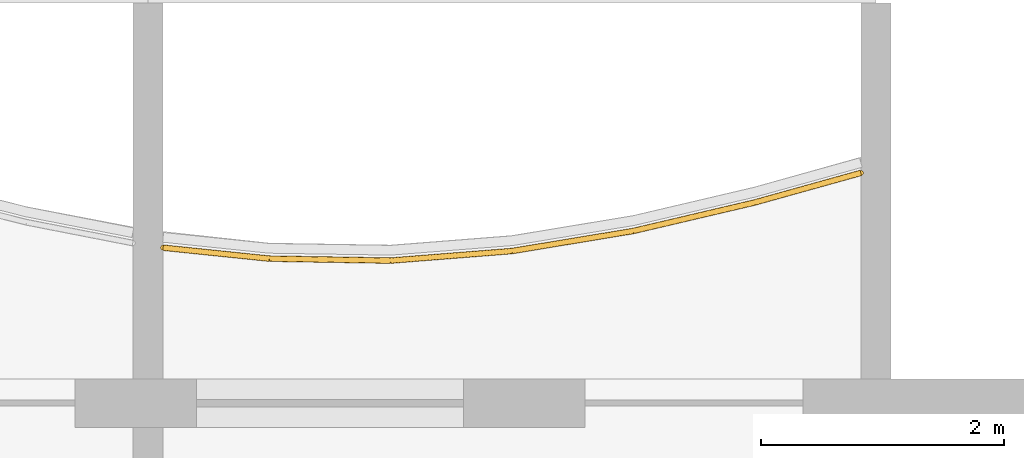
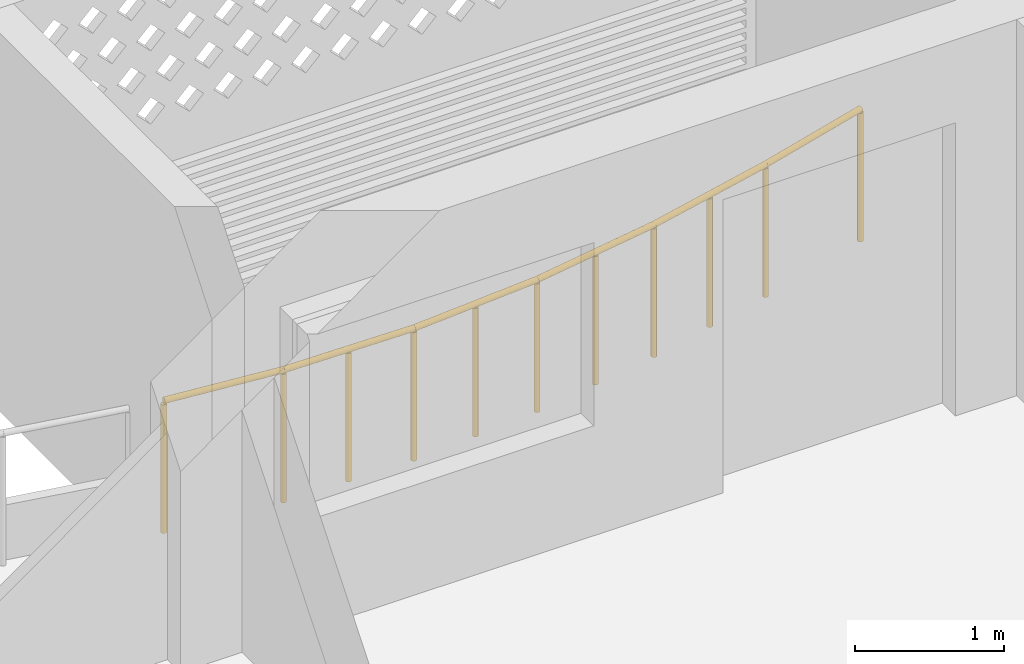
# One storey, part 26 of 27: 1 railing.
"""IFC4 building model written with IfcOpenShell, lengths in metres."""

from ifc_helpers import new_model, si_unit, direction, frame, origin, origin_2d, place, context, subcontext, project, spatial, circle, extrude, material, type_object, element, save


model = new_model("IFC4")

# Units and contexts
model_context = context("Model", 3, precision=1e-05, world=origin(), true_north=direction((0.0, 1.0)))
body_context = subcontext(model_context, "Body", "Model", "MODEL_VIEW")
ifc_project = project(units=[si_unit("LENGTHUNIT", "METRE"), si_unit("AREAUNIT", "SQUARE_METRE"), si_unit("VOLUMEUNIT", "CUBIC_METRE"), si_unit("PLANEANGLEUNIT", "RADIAN"), si_unit("MASSUNIT", "GRAM", prefix="KILO")], contexts=[model_context])

# Site, building, storey
site_placement = place(None, origin())
site = spatial("IfcSite", under=ifc_project, at=site_placement, CompositionType="ELEMENT")
building_placement = place(site_placement, origin())
building = spatial("IfcBuilding", under=site, at=building_placement, Name="Poui Terraces", CompositionType="ELEMENT")
storey_placement = place(building_placement, frame((0.0, 0.0, 195.0)))
storey = spatial("IfcBuildingStorey", under=building, at=storey_placement, Name="L54", CompositionType="ELEMENT", Elevation=195.0)

# Railing
ifc_material = material(Name="Painted steel fretwork", Category="steel")
railing_type = type_object("IfcRailingType", Name="BALCONY GUARD 1100", PredefinedType="GUARDRAIL", material=ifc_material)
railing_placement = place(storey_placement, frame((72.125, 42.481689453125, 0.0)))
element("IfcRailing", 1, at=railing_placement, inside=storey, type_object=railing_type, Name="BALCONY GUARD", PredefinedType="GUARDRAIL", context=body_context, shape_type="SweptSolid", body=[
    extrude(circle(Radius=0.02392578125, at=origin_2d()), frame((0.0, 0.0, 1.076171875), z_axis=(0.994713322393, -0.102690828484, 0.0), x_axis=(0.102690828484, 0.994713322393, 0.0)), (0.0, 0.0, 1.0), 0.879638671875),
    extrude(circle(Radius=0.02392578125, at=origin_2d()), frame((0.875, -0.09033203125, 1.076171875), z_axis=(0.999870206358, -0.016111189849, 0.0), x_axis=(0.016111189849, 0.999870206358, 0.0)), (0.0, 0.0, 1.0), 1.000244140625),
    extrude(circle(Radius=0.02392578125, at=origin_2d()), frame((1.875, -0.1064453125, 1.076171875), z_axis=(0.996905179889, 0.07861337234, 0.0), x_axis=(-0.07861337234, 0.996905179889, 0.0)), (0.0, 0.0, 1.0), 1.003173828125),
    extrude(circle(Radius=0.02392578125, at=origin_2d()), frame((2.875, -0.027587890625, 1.076171875), z_axis=(0.986614372238, 0.163070783693, 0.0), x_axis=(-0.163070783693, 0.986614372238, 0.0)), (0.0, 0.0, 1.0), 1.013671875),
    extrude(circle(Radius=0.02392578125, at=origin_2d()), frame((3.875, 0.1376953125, 1.076171875), z_axis=(0.973510598085, 0.228641893398, 0.0), x_axis=(-0.228641893398, 0.973510598085, 0.0)), (0.0, 0.0, 1.0), 1.027099609375),
    extrude(circle(Radius=0.02392578125, at=origin_2d()), frame((4.875, 0.37255859375, 1.076171875), z_axis=(0.963348277861, 0.268253789427, 0.0), x_axis=(-0.268253789427, 0.963348277861, 0.0)), (0.0, 0.0, 1.0), 0.908203125),
    extrude(circle(Radius=0.02099609375, at=origin_2d()), origin(), (0.0, 0.0, 1.0), 1.052001953125),
    extrude(circle(Radius=0.02099609375, at=origin_2d()), frame((0.875, -0.09033203125, 0.0)), (0.0, 0.0, 1.0), 1.052001953125),
    extrude(circle(Radius=0.02099609375, at=origin_2d()), frame((1.375, -0.098388671875, 0.0)), (0.0, 0.0, 1.0), 1.052001953125),
    extrude(circle(Radius=0.02099609375, at=origin_2d()), frame((1.875, -0.1064453125, 0.0)), (0.0, 0.0, 1.0), 1.052001953125),
    extrude(circle(Radius=0.02099609375, at=origin_2d()), frame((2.375, -0.06689453125, 0.0)), (0.0, 0.0, 1.0), 1.052001953125),
    extrude(circle(Radius=0.02099609375, at=origin_2d()), frame((2.875, -0.027587890625, 0.0)), (0.0, 0.0, 1.0), 1.052001953125),
    extrude(circle(Radius=0.02099609375, at=origin_2d()), frame((3.375, 0.05517578125, 0.0)), (0.0, 0.0, 1.0), 1.052001953125),
    extrude(circle(Radius=0.02099609375, at=origin_2d()), frame((3.875, 0.1376953125, 0.0)), (0.0, 0.0, 1.0), 1.052001953125),
    extrude(circle(Radius=0.02099609375, at=origin_2d()), frame((4.375, 0.255126953125, 0.0)), (0.0, 0.0, 1.0), 1.052001953125),
    extrude(circle(Radius=0.02099609375, at=origin_2d()), frame((4.875, 0.37255859375, 0.0)), (0.0, 0.0, 1.0), 1.052001953125),
    extrude(circle(Radius=0.02099609375, at=origin_2d()), frame((5.75, 0.6162109375, 0.0)), (0.0, 0.0, 1.0), 1.052001953125),
])

save(model, "model.ifc")
